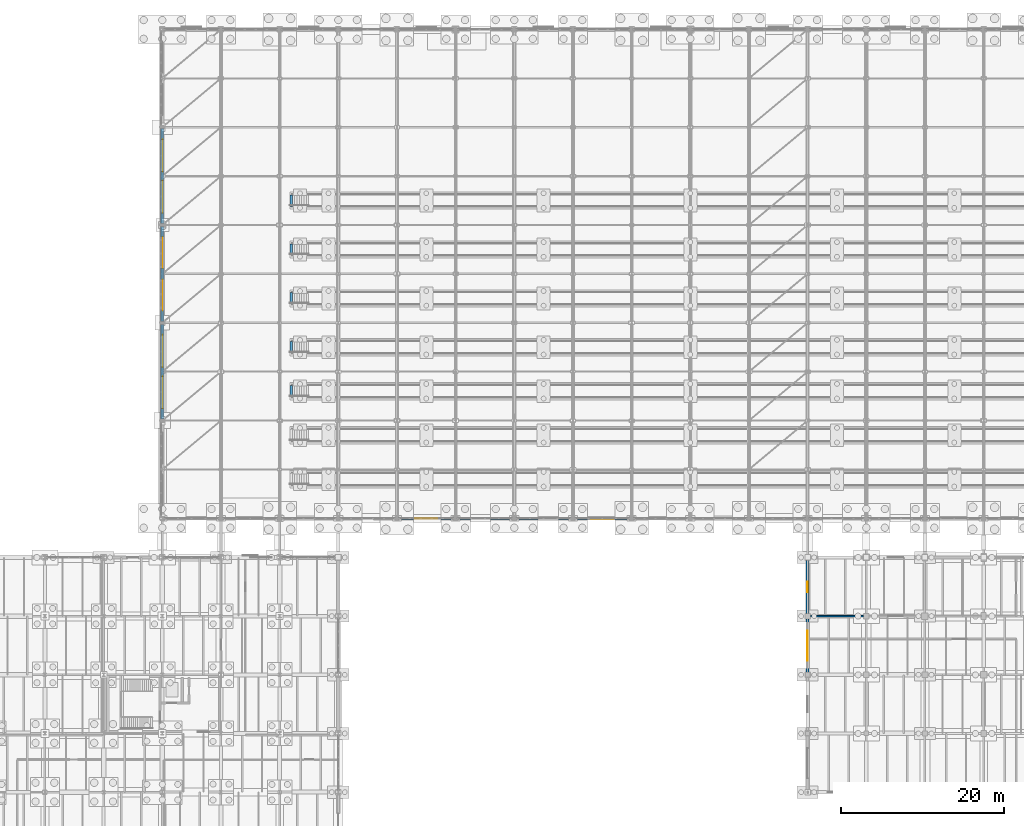
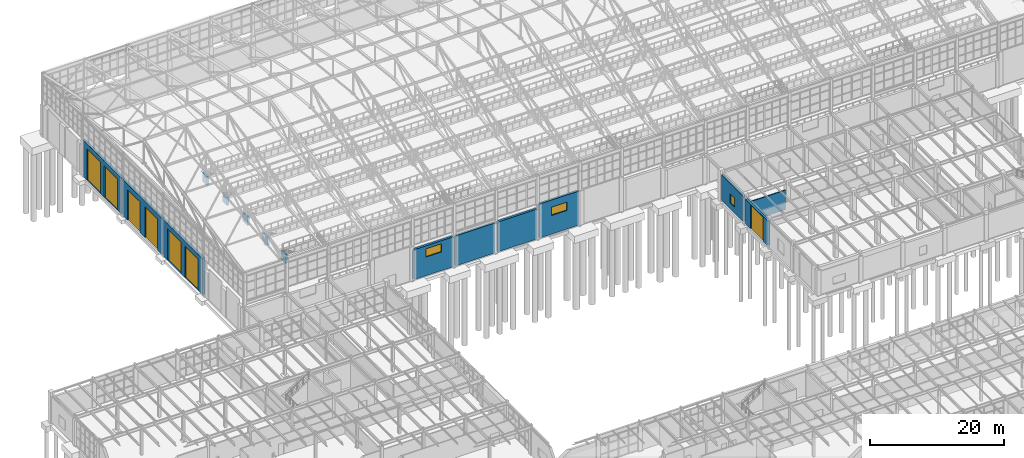
# One storey, part 268 of 293: 15 walls, 7 doors, 3 windows, 10 openings.
"""IFC4 building model written with IfcOpenShell, lengths in metres."""

from ifc_helpers import new_model, si_unit, direction, frame, frame_2d, origin, place, context, subcontext, project, spatial, rectangle, extrude, material, layer, layer_set, type_object, element, fill, save


model = new_model("IFC4")

# Units and contexts
model_context = context("Model", 3, precision=1e-05, world=origin(), true_north=direction((0.0, 1.0)))
body_context = subcontext(model_context, "Body", "Model", "MODEL_VIEW")
ifc_project = project(units=[si_unit("LENGTHUNIT", "METRE"), si_unit("AREAUNIT", "SQUARE_METRE"), si_unit("VOLUMEUNIT", "CUBIC_METRE"), si_unit("PLANEANGLEUNIT", "RADIAN"), si_unit("MASSUNIT", "GRAM", prefix="KILO")], contexts=[model_context])

# Site, building, storey
site_placement = place(None, origin())
site = spatial("IfcSite", under=ifc_project, at=site_placement, CompositionType="ELEMENT")
building_placement = place(site_placement, origin())
building = spatial("IfcBuilding", under=site, at=building_placement, Name="Kemerveld Promenade Tramway Depot", CompositionType="ELEMENT")
storey_placement = place(building_placement, origin())
storey = spatial("IfcBuildingStorey", under=building, at=storey_placement, Name="L00", CompositionType="ELEMENT", Elevation=0.0)

# Wall, opening, window
ifc_material_1 = material(Name="Harare granite ashlar and clay brick cavity masonry", Category="masonry")
ifc_layer_1 = layer(ifc_material_1, 0.3798828125)
ifc_layer_set_1 = layer_set([ifc_layer_1], Name="WL-EXT-380")
wall_type_1 = type_object("IfcWallType", Name="WL-EXT-380", PredefinedType="SOLIDWALL", material=ifc_layer_set_1)
wall_1_placement = place(storey_placement, frame((71.77685546875, 84.0, 0.0), z_axis=(0.0, 0.0, 1.0), x_axis=(-1.0, 0.0, 0.0)))
wall_1 = element("IfcWall", 1, at=wall_1_placement, inside=storey, type_object=wall_type_1, Name="WL-V1-S-05", PredefinedType="SOLIDWALL", context=body_context, shape_type="SweptSolid", body=[
    extrude(rectangle(XDim=6.753662109375, YDim=0.3798828125, at=frame_2d((3.376953125, 0.0))), origin(), (0.0, 0.0, 1.0), 5.443359375),
])
opening_1_placement = place(wall_1_placement, frame((2.027099609375, 0.0, 3.39990234375)))
opening_1 = element("IfcOpeningElement", 2, at=opening_1_placement, cuts=wall_1, Name="Opening W-102", PredefinedType="OPENING", context=body_context, shape_type="SweptSolid", body=[
    extrude(rectangle(XDim=2.699951171875, YDim=1.5, at=frame_2d((1.35009765625, 0.75))), frame((0.0, 0.199951171875, 0.0), z_axis=(0.0, -1.0, 0.0), x_axis=(1.0, 0.0, 0.0)), (0.0, 0.0, 1.0), 0.39990234375),
])
ifc_material_2 = material(Name="Bronze anodised aluminium and low-e glass", Category="aluminium")
window_type_1 = type_object("IfcWindowType", Name="WN-17", PartitioningType="SINGLE_PANEL", PredefinedType="WINDOW", material=ifc_material_2)
window_1_placement = place(opening_1_placement, origin())
window_1 = element("IfcWindow", 3, at=window_1_placement, inside=storey, type_object=window_type_1, Name="WN-V1-S-102", OverallHeight=1.5, OverallWidth=2.699951171875, PartitioningType="SINGLE_PANEL", PredefinedType="WINDOW", context=body_context, shape_type="SweptSolid", body=[
    extrude(rectangle(XDim=2.699951171875, YDim=1.5, at=frame_2d((1.35009765625, 0.75))), frame((0.0, 0.030029296875, 0.0), z_axis=(0.0, -1.0, 0.0), x_axis=(1.0, 0.0, 0.0)), (0.0, 0.0, 1.0), 0.06005859375),
])
fill(opening_1, window_1)

# Walls
for number, where, z_axis, x_axis, name in (
    (4, (78.976806640625, 84.0, 0.0), (0.0, 0.0, 1.0), (-1.0, 0.0, 0.0), "WL-V1-S-06"),
    (5, (86.1767578125, 84.0, 0.0), (0.0, 0.0, 1.0), (-1.0, 0.0, 0.0), "WL-V1-S-07"),
):
    element("IfcWall", number, at=place(storey_placement, frame(where, z_axis=z_axis, x_axis=x_axis)), inside=storey, type_object=wall_type_1, Name=name, PredefinedType="SOLIDWALL", context=body_context, shape_type="SweptSolid", body=[
        extrude(rectangle(XDim=6.753662109375, YDim=0.3798828125, at=frame_2d((3.376953125, 0.0))), origin(), (0.0, 0.0, 1.0), 5.443359375),
    ])

# Wall, opening, window
wall_2_placement = place(storey_placement, frame((93.376708984375, 84.0, 0.0), z_axis=(0.0, 0.0, 1.0), x_axis=(-1.0, 0.0, 0.0)))
wall_2 = element("IfcWall", 6, at=wall_2_placement, inside=storey, type_object=wall_type_1, Name="WL-V1-S-08", PredefinedType="SOLIDWALL", context=body_context, shape_type="SweptSolid", body=[
    extrude(rectangle(XDim=6.75341796875, YDim=0.3798828125, at=frame_2d((3.376708984375, 0.0))), origin(), (0.0, 0.0, 1.0), 6.199951171875),
])
opening_2_placement = place(wall_2_placement, frame((2.027099609375, 0.0, 3.39990234375)))
opening_2 = element("IfcOpeningElement", 7, at=opening_2_placement, cuts=wall_2, Name="Opening W-103", PredefinedType="OPENING", context=body_context, shape_type="SweptSolid", body=[
    extrude(rectangle(XDim=2.699951171875, YDim=1.5, at=frame_2d((1.35009765625, 0.75))), frame((0.0, 0.199951171875, 0.0), z_axis=(0.0, -1.0, 0.0), x_axis=(1.0, 0.0, 0.0)), (0.0, 0.0, 1.0), 0.39990234375),
])
window_2_placement = place(opening_2_placement, origin())
window_2 = element("IfcWindow", 8, at=window_2_placement, inside=storey, type_object=window_type_1, Name="WN-V1-S-103", OverallHeight=1.5, OverallWidth=2.699951171875, PartitioningType="SINGLE_PANEL", PredefinedType="WINDOW", context=body_context, shape_type="SweptSolid", body=[
    extrude(rectangle(XDim=2.699951171875, YDim=1.5, at=frame_2d((1.35009765625, 0.75))), frame((0.0, 0.030029296875, 0.0), z_axis=(0.0, -1.0, 0.0), x_axis=(1.0, 0.0, 0.0)), (0.0, 0.0, 1.0), 0.06005859375),
])
fill(opening_2, window_2)

# Wall, opening, door
wall_3_placement = place(storey_placement, frame((115.199951171875, 65.094970703125, 0.0), z_axis=(0.0, 0.0, 1.0), x_axis=(0.0, 1.0, 0.0)))
wall_3 = element("IfcWall", 9, at=wall_3_placement, inside=storey, type_object=wall_type_1, Name="WL-L00-V3W-03", PredefinedType="SOLIDWALL", context=body_context, shape_type="SweptSolid", body=[
    extrude(rectangle(XDim=6.56005859375, YDim=0.3798828125, at=frame_2d((3.280029296875, 0.0))), origin(), (0.0, 0.0, 1.0), 4.5234375),
])
opening_3_placement = place(wall_3_placement, frame((1.429931640625, 0.0, 0.0)))
opening_3 = element("IfcOpeningElement", 10, at=opening_3_placement, cuts=wall_3, Name="Opening D-136", PredefinedType="OPENING", context=body_context, shape_type="SweptSolid", body=[
    extrude(rectangle(XDim=3.699951171875, YDim=4.39990234375, at=frame_2d((1.85009765625, 2.199951171875))), frame((0.0, 0.199951171875, 0.0), z_axis=(0.0, -1.0, 0.0), x_axis=(1.0, 0.0, 0.0)), (0.0, 0.0, 1.0), 0.39990234375),
])
ifc_material_3 = material(Name="Corrosion-resistant aluminium high-speed wash shutter", Category="aluminium")
door_type_1 = type_object("IfcDoorType", Name="GT-WASH1", OperationType="ROLLINGUP", PredefinedType="GATE", material=ifc_material_3)
door_1_placement = place(opening_3_placement, origin())
door_1 = element("IfcDoor", 11, at=door_1_placement, inside=storey, type_object=door_type_1, Name="GT-WASH-W2", OperationType="ROLLINGUP", OverallHeight=4.39990234375, OverallWidth=3.699951171875, PredefinedType="GATE", context=body_context, shape_type="SweptSolid", body=[
    extrude(rectangle(XDim=3.699951171875, YDim=4.39990234375, at=frame_2d((1.85009765625, 2.199951171875))), frame((0.0, 0.02490234375, 0.0), z_axis=(0.0, -1.0, 0.0), x_axis=(1.0, 0.0, 0.0)), (0.0, 0.0, 1.0), 0.050048828125),
])
fill(opening_3, door_1)

# Wall, opening, window
wall_4_placement = place(storey_placement, frame((115.199951171875, 72.344970703125, 0.0), z_axis=(0.0, 0.0, 1.0), x_axis=(0.0, 1.0, 0.0)))
wall_4 = element("IfcWall", 12, at=wall_4_placement, inside=storey, type_object=wall_type_1, Name="WL-L00-V3W-04", PredefinedType="SOLIDWALL", context=body_context, shape_type="SweptSolid", body=[
    extrude(rectangle(XDim=6.485107421875, YDim=0.3798828125, at=frame_2d((3.24267578125, 0.0))), origin(), (0.0, 0.0, 1.0), 4.60009765625),
])
opening_4_placement = place(wall_4_placement, frame((2.593017578125, 0.0, 1.050048828125)))
opening_4 = element("IfcOpeningElement", 13, at=opening_4_placement, cuts=wall_4, Name="Opening W-121", PredefinedType="OPENING", context=body_context, shape_type="SweptSolid", body=[
    extrude(rectangle(XDim=1.300048828125, YDim=1.60009765625, at=frame_2d((0.64990234375, 0.800048828125))), frame((0.0, 0.199951171875, 0.0), z_axis=(0.0, -1.0, 0.0), x_axis=(1.0, 0.0, 0.0)), (0.0, 0.0, 1.0), 0.39990234375),
])
window_type_2 = type_object("IfcWindowType", Name="WN-25", PartitioningType="SINGLE_PANEL", PredefinedType="WINDOW", material=ifc_material_2)
window_3_placement = place(opening_4_placement, origin())
window_3 = element("IfcWindow", 14, at=window_3_placement, inside=storey, type_object=window_type_2, Name="WN-L00-V3W-04", OverallHeight=1.60009765625, OverallWidth=1.300048828125, PartitioningType="SINGLE_PANEL", PredefinedType="WINDOW", context=body_context, shape_type="SweptSolid", body=[
    extrude(rectangle(XDim=1.300048828125, YDim=1.60009765625, at=frame_2d((0.64990234375, 0.800048828125))), frame((0.0, 0.030029296875, 0.0), z_axis=(0.0, -1.0, 0.0), x_axis=(1.0, 0.0, 0.0)), (0.0, 0.0, 1.0), 0.06005859375),
])
fill(opening_4, window_3)

# Wall, openings, doors
ifc_layer_2 = layer(ifc_material_1, 0.419921875)
ifc_layer_set_2 = layer_set([ifc_layer_2], Name="WL-EXT-420")
wall_type_2 = type_object("IfcWallType", Name="WL-EXT-420", PredefinedType="SOLIDWALL", material=ifc_layer_set_2)
wall_5_placement = place(storey_placement, frame((36.0, 96.18359375, 0.0), z_axis=(0.0, 0.0, 1.0), x_axis=(0.0, 1.0, 0.0)))
wall_5 = element("IfcWall", 15, at=wall_5_placement, inside=storey, type_object=wall_type_2, Name="WL-V1-W-02", PredefinedType="SOLIDWALL", context=body_context, shape_type="SweptSolid", body=[
    extrude(rectangle(XDim=11.6328125, YDim=0.419921875, at=frame_2d((5.81640625, 0.0))), origin(), (0.0, 0.0, 1.0), 6.60009765625),
])
opening_5_placement = place(wall_5_placement, frame((1.300048828125, 0.0, 0.0)))
opening_5 = element("IfcOpeningElement", 16, at=opening_5_placement, cuts=wall_5, Name="Opening G-107", PredefinedType="OPENING", context=body_context, shape_type="SweptSolid", body=[
    extrude(rectangle(XDim=3.949951171875, YDim=5.699951171875, at=frame_2d((1.97509765625, 2.85009765625))), frame((0.0, 0.219970703125, 0.0), z_axis=(0.0, -1.0, 0.0), x_axis=(1.0, 0.0, 0.0)), (0.0, 0.0, 1.0), 0.43994140625),
])
opening_6_placement = place(wall_5_placement, frame((6.383056640625, 0.0, 0.0)))
opening_6 = element("IfcOpeningElement", 17, at=opening_6_placement, cuts=wall_5, Name="Opening G-108", PredefinedType="OPENING", context=body_context, shape_type="SweptSolid", body=[
    extrude(rectangle(XDim=3.949951171875, YDim=5.699951171875, at=frame_2d((1.97509765625, 2.85009765625))), frame((0.0, 0.219970703125, 0.0), z_axis=(0.0, -1.0, 0.0), x_axis=(1.0, 0.0, 0.0)), (0.0, 0.0, 1.0), 0.43994140625),
])
ifc_material_4 = material(Name="Insulated powder-coated steel bi-folding tram gate", Category="steel")
door_type_2 = type_object("IfcDoorType", Name="GT-TRAM2", OperationType="FOLDING_TO_LEFT", PredefinedType="GATE", material=ifc_material_4)
door_2_placement = place(opening_5_placement, origin())
door_2 = element("IfcDoor", 18, at=door_2_placement, inside=storey, type_object=door_type_2, Name="GT-V1-W-2-1", OperationType="FOLDING_TO_LEFT", OverallHeight=5.699951171875, OverallWidth=3.949951171875, PredefinedType="GATE", context=body_context, shape_type="SweptSolid", body=[
    extrude(rectangle(XDim=3.949951171875, YDim=5.699951171875, at=frame_2d((1.97509765625, 2.85009765625))), frame((0.0, 0.02490234375, 0.0), z_axis=(0.0, -1.0, 0.0), x_axis=(1.0, 0.0, 0.0)), (0.0, 0.0, 1.0), 0.050048828125),
])
fill(opening_5, door_2)
door_3_placement = place(opening_6_placement, origin())
door_3 = element("IfcDoor", 19, at=door_3_placement, inside=storey, type_object=door_type_2, Name="GT-V1-W-2-2", OperationType="FOLDING_TO_LEFT", OverallHeight=5.699951171875, OverallWidth=3.949951171875, PredefinedType="GATE", context=body_context, shape_type="SweptSolid", body=[
    extrude(rectangle(XDim=3.949951171875, YDim=5.699951171875, at=frame_2d((1.97509765625, 2.85009765625))), frame((0.0, 0.02490234375, 0.0), z_axis=(0.0, -1.0, 0.0), x_axis=(1.0, 0.0, 0.0)), (0.0, 0.0, 1.0), 0.050048828125),
])
fill(opening_6, door_3)

wall_6_placement = place(storey_placement, frame((36.0, 108.18359375, 0.0), z_axis=(0.0, 0.0, 1.0), x_axis=(0.0, 1.0, 0.0)))
wall_6 = element("IfcWall", 20, at=wall_6_placement, inside=storey, type_object=wall_type_2, Name="WL-V1-W-03", PredefinedType="SOLIDWALL", context=body_context, shape_type="SweptSolid", body=[
    extrude(rectangle(XDim=11.6328125, YDim=0.419921875, at=frame_2d((5.81640625, 0.0))), origin(), (0.0, 0.0, 1.0), 6.60009765625),
])
opening_7_placement = place(wall_6_placement, frame((1.300048828125, 0.0, 0.0)))
opening_7 = element("IfcOpeningElement", 21, at=opening_7_placement, cuts=wall_6, Name="Opening G-111", PredefinedType="OPENING", context=body_context, shape_type="SweptSolid", body=[
    extrude(rectangle(XDim=3.800048828125, YDim=5.60009765625, at=frame_2d((1.89990234375, 2.800048828125))), frame((0.0, 0.219970703125, 0.0), z_axis=(0.0, -1.0, 0.0), x_axis=(1.0, 0.0, 0.0)), (0.0, 0.0, 1.0), 0.43994140625),
])
opening_8_placement = place(wall_6_placement, frame((6.532958984375, 0.0, 0.0)))
opening_8 = element("IfcOpeningElement", 22, at=opening_8_placement, cuts=wall_6, Name="Opening G-112", PredefinedType="OPENING", context=body_context, shape_type="SweptSolid", body=[
    extrude(rectangle(XDim=3.800048828125, YDim=5.60009765625, at=frame_2d((1.89990234375, 2.800048828125))), frame((0.0, 0.219970703125, 0.0), z_axis=(0.0, -1.0, 0.0), x_axis=(1.0, 0.0, 0.0)), (0.0, 0.0, 1.0), 0.43994140625),
])
door_type_3 = type_object("IfcDoorType", Name="GT-TRAM1", OperationType="FOLDING_TO_LEFT", PredefinedType="GATE", material=ifc_material_4)
door_4_placement = place(opening_7_placement, origin())
door_4 = element("IfcDoor", 23, at=door_4_placement, inside=storey, type_object=door_type_3, Name="GT-V1-W-3-1", OperationType="FOLDING_TO_LEFT", OverallHeight=5.60009765625, OverallWidth=3.800048828125, PredefinedType="GATE", context=body_context, shape_type="SweptSolid", body=[
    extrude(rectangle(XDim=3.800048828125, YDim=5.60009765625, at=frame_2d((1.89990234375, 2.800048828125))), frame((0.0, 0.02490234375, 0.0), z_axis=(0.0, -1.0, 0.0), x_axis=(1.0, 0.0, 0.0)), (0.0, 0.0, 1.0), 0.050048828125),
])
fill(opening_7, door_4)
door_5_placement = place(opening_8_placement, origin())
door_5 = element("IfcDoor", 24, at=door_5_placement, inside=storey, type_object=door_type_3, Name="GT-V1-W-3-2", OperationType="FOLDING_TO_LEFT", OverallHeight=5.60009765625, OverallWidth=3.800048828125, PredefinedType="GATE", context=body_context, shape_type="SweptSolid", body=[
    extrude(rectangle(XDim=3.800048828125, YDim=5.60009765625, at=frame_2d((1.89990234375, 2.800048828125))), frame((0.0, 0.02490234375, 0.0), z_axis=(0.0, -1.0, 0.0), x_axis=(1.0, 0.0, 0.0)), (0.0, 0.0, 1.0), 0.050048828125),
])
fill(opening_8, door_5)

wall_7_placement = place(storey_placement, frame((36.0, 120.18359375, 0.0), z_axis=(0.0, 0.0, 1.0), x_axis=(0.0, 1.0, 0.0)))
wall_7 = element("IfcWall", 25, at=wall_7_placement, inside=storey, type_object=wall_type_2, Name="WL-V1-W-04", PredefinedType="SOLIDWALL", context=body_context, shape_type="SweptSolid", body=[
    extrude(rectangle(XDim=11.6328125, YDim=0.419921875, at=frame_2d((5.81640625, 0.0))), origin(), (0.0, 0.0, 1.0), 6.60009765625),
])
opening_9_placement = place(wall_7_placement, frame((1.300048828125, 0.0, 0.0)))
opening_9 = element("IfcOpeningElement", 26, at=opening_9_placement, cuts=wall_7, Name="Opening G-115", PredefinedType="OPENING", context=body_context, shape_type="SweptSolid", body=[
    extrude(rectangle(XDim=3.949951171875, YDim=5.699951171875, at=frame_2d((1.97509765625, 2.85009765625))), frame((0.0, 0.219970703125, 0.0), z_axis=(0.0, -1.0, 0.0), x_axis=(1.0, 0.0, 0.0)), (0.0, 0.0, 1.0), 0.43994140625),
])
opening_10_placement = place(wall_7_placement, frame((6.383056640625, 0.0, 0.0)))
opening_10 = element("IfcOpeningElement", 27, at=opening_10_placement, cuts=wall_7, Name="Opening G-116", PredefinedType="OPENING", context=body_context, shape_type="SweptSolid", body=[
    extrude(rectangle(XDim=3.949951171875, YDim=5.699951171875, at=frame_2d((1.97509765625, 2.85009765625))), frame((0.0, 0.219970703125, 0.0), z_axis=(0.0, -1.0, 0.0), x_axis=(1.0, 0.0, 0.0)), (0.0, 0.0, 1.0), 0.43994140625),
])
door_6_placement = place(opening_9_placement, origin())
door_6 = element("IfcDoor", 28, at=door_6_placement, inside=storey, type_object=door_type_2, Name="GT-V1-W-4-1", OperationType="FOLDING_TO_LEFT", OverallHeight=5.699951171875, OverallWidth=3.949951171875, PredefinedType="GATE", context=body_context, shape_type="SweptSolid", body=[
    extrude(rectangle(XDim=3.949951171875, YDim=5.699951171875, at=frame_2d((1.97509765625, 2.85009765625))), frame((0.0, 0.02490234375, 0.0), z_axis=(0.0, -1.0, 0.0), x_axis=(1.0, 0.0, 0.0)), (0.0, 0.0, 1.0), 0.050048828125),
])
fill(opening_9, door_6)
door_7_placement = place(opening_10_placement, origin())
door_7 = element("IfcDoor", 29, at=door_7_placement, inside=storey, type_object=door_type_2, Name="GT-V1-W-4-2", OperationType="FOLDING_TO_LEFT", OverallHeight=5.699951171875, OverallWidth=3.949951171875, PredefinedType="GATE", context=body_context, shape_type="SweptSolid", body=[
    extrude(rectangle(XDim=3.949951171875, YDim=5.699951171875, at=frame_2d((1.97509765625, 2.85009765625))), frame((0.0, 0.02490234375, 0.0), z_axis=(0.0, -1.0, 0.0), x_axis=(1.0, 0.0, 0.0)), (0.0, 0.0, 1.0), 0.050048828125),
])
fill(opening_10, door_7)

# Walls
ifc_material_5 = material(Name="Concrete C40/50", Category="concrete")
ifc_layer_3 = layer(ifc_material_5, 0.35009765625)
ifc_layer_set_3 = layer_set([ifc_layer_3], Name="WL-PIT350")
wall_type_3 = type_object("IfcWallType", Name="WL-PIT350", PredefinedType="USERDEFINED", material=ifc_layer_set_3)
wall_8_placement = place(storey_placement, frame((51.824951171875, 98.89990234375, -1.550048828125), z_axis=(0.0, 0.0, 1.0), x_axis=(0.0, 1.0, 0.0)))
element("IfcWall", 30, at=wall_8_placement, inside=storey, type_object=wall_type_3, Name="WL-PIT-03-W", ObjectType="RETAINING_WALL", PredefinedType="USERDEFINED", context=body_context, shape_type="SweptSolid", body=[
    extrude(rectangle(XDim=1.400146484375, YDim=0.35009765625, at=frame_2d((0.7001953125, 0.0))), origin(), (0.0, 0.0, 1.0), 1.550048828125),
])
for number, where, z_axis, x_axis, name in (
    (31, (51.824951171875, 104.300048828125, -1.550048828125), (0.0, 0.0, 1.0), (0.0, 1.0, 0.0), "WL-PIT-04-W"),
    (32, (51.824951171875, 110.300048828125, -1.550048828125), (0.0, 0.0, 1.0), (0.0, 1.0, 0.0), "WL-PIT-05-W"),
    (33, (51.824951171875, 116.300048828125, -1.550048828125), (0.0, 0.0, 1.0), (0.0, 1.0, 0.0), "WL-PIT-06-W"),
    (34, (51.824951171875, 122.300048828125, -1.550048828125), (0.0, 0.0, 1.0), (0.0, 1.0, 0.0), "WL-PIT-07-W"),
):
    element("IfcWall", number, at=place(storey_placement, frame(where, z_axis=z_axis, x_axis=x_axis)), inside=storey, type_object=wall_type_3, Name=name, ObjectType="RETAINING_WALL", PredefinedType="USERDEFINED", context=body_context, shape_type="SweptSolid", body=[
        extrude(rectangle(XDim=1.39990234375, YDim=0.35009765625, at=frame_2d((0.699951171875, 0.0))), origin(), (0.0, 0.0, 1.0), 1.550048828125),
    ])
ifc_material_6 = material(Name="Acoustic twin-stud gypsum partition")
ifc_layer_4 = layer(ifc_material_6, 0.159912109375)
ifc_layer_set_4 = layer_set([ifc_layer_4], Name="WL-PRT-160")
wall_type_4 = type_object("IfcWallType", Name="WL-PRT-160", PredefinedType="PARTITIONING", material=ifc_layer_set_4)
wall_9_placement = place(storey_placement, frame((115.527099609375, 72.0, 0.0), z_axis=(0.0, 0.0, 1.0), x_axis=(1.0, 0.0, 0.0)))
element("IfcWall", 35, at=wall_9_placement, inside=storey, type_object=wall_type_4, Name="WL-PRT-RM-L00-V3-RECL-S1", PredefinedType="PARTITIONING", context=body_context, shape_type="SweptSolid", body=[
    extrude(rectangle(XDim=6.52099609375, YDim=0.159912109375, at=frame_2d((3.260498046875, 0.0))), origin(), (0.0, 0.0, 1.0), 3.550048828125),
])

save(model, "model.ifc")
